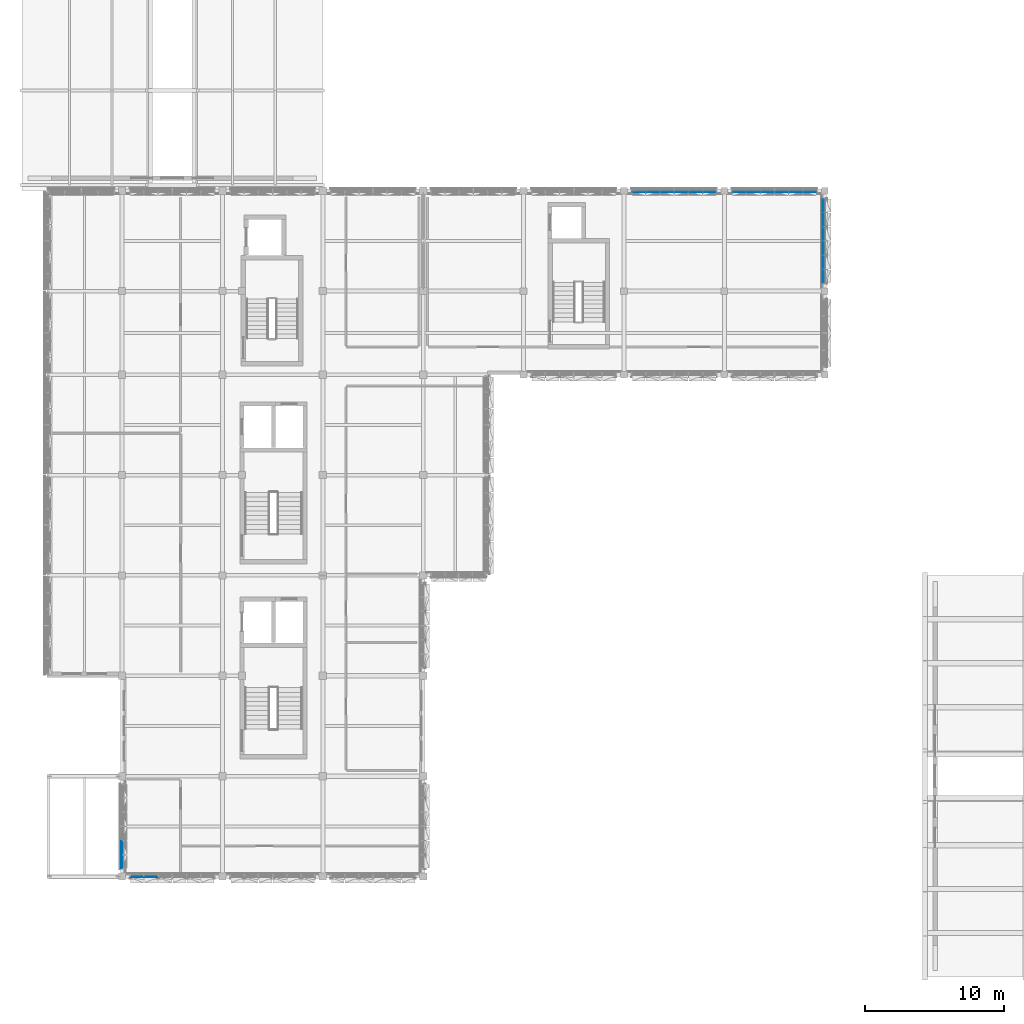
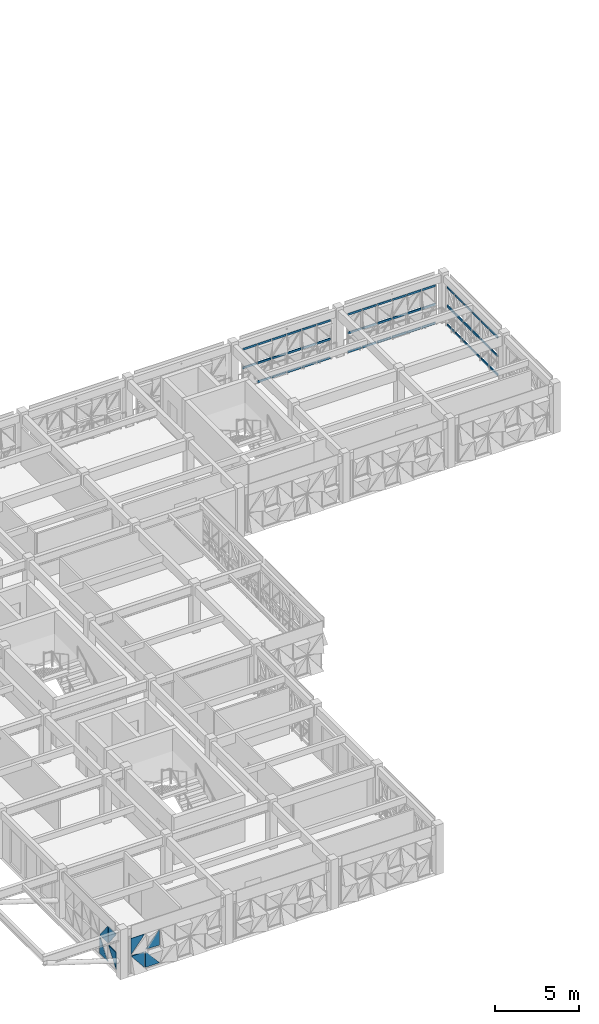
# One storey, part 18 of 48: 53 members, 8 plates, 5 elements without a shape of their own.
"""IFC4 building model written with IfcOpenShell, lengths in metres."""

from ifc_helpers import new_model, si_unit, direction, frame, origin, origin_2d, place, context, subcontext, project, spatial, polyline, rectangle, outline, extrude, material, layer, layer_set, material_profile, profile_set, type_object, element, aggregate, save


model = new_model("IFC4")

# Units and contexts
model_context = context("Model", 3, precision=1e-05, world=origin(), true_north=direction((0.0, 1.0)))
body_context = subcontext(model_context, "Body", "Model", "MODEL_VIEW")
ifc_project = project(units=[si_unit("LENGTHUNIT", "METRE"), si_unit("AREAUNIT", "SQUARE_METRE"), si_unit("VOLUMEUNIT", "CUBIC_METRE"), si_unit("PLANEANGLEUNIT", "RADIAN"), si_unit("MASSUNIT", "GRAM", prefix="KILO")], contexts=[model_context])

# Site, building, storey
site_placement = place(None, origin())
site = spatial("IfcSite", under=ifc_project, at=site_placement, CompositionType="ELEMENT")
building_placement = place(site_placement, origin())
building = spatial("IfcBuilding", under=site, at=building_placement, Name="Alvorim Cloister Faculty of Sciences", CompositionType="ELEMENT")
storey_placement = place(building_placement, frame((0.0, 0.0, 19.35009765625)))
storey = spatial("IfcBuildingStorey", under=building, at=storey_placement, Name="L05", CompositionType="ELEMENT", Elevation=19.35009765625)

# Curtain wall, members
ifc_material_1 = material(Name="Aluminium and Low-E Glass Curtain Wall", Category="aluminium")
curtain_wall_type_1 = type_object("IfcCurtainWallType", Name="CW-TRI-6120x2850", PredefinedType="USERDEFINED", material=ifc_material_1)
curtain_wall_1_placement = place(storey_placement, origin())
curtain_wall_1 = element("IfcCurtainWall", 1, at=curtain_wall_1_placement, inside=storey, type_object=curtain_wall_type_1, Name="L05 Diagonal Cassette Curtain Wall CW-0225", ObjectType="UNITISED CURTAIN WALL", PredefinedType="USERDEFINED")
ifc_material_2 = material(Name="Aluminium Alloy 6063-T6", Category="aluminium")
ifc_material_profile = material_profile(ifc_material_2, rectangle(XDim=0.06494140625, YDim=0.139892578125, at=origin_2d()), Name="ALU-TRN-65x140")
ifc_profile_set = profile_set([ifc_material_profile], Name="Aluminium Alloy 6063-T6")
member_type = type_object("IfcMemberType", Name="CW-TRN-65x140", PredefinedType="USERDEFINED", material=ifc_profile_set)
member_1_placement = place(storey_placement, frame((43.804931640625, 56.31005859375, 1.4248046875), z_axis=(1.0, 0.0, 0.0), x_axis=(0.0, 1.0, 0.0)))
member_1 = element("IfcMember", 2, at=member_1_placement, type_object=member_type, Name="CW-0225 Transom 1.2", ObjectType="TRANSOM", PredefinedType="USERDEFINED", context=body_context, shape_type="SweptSolid", body=[
    extrude(rectangle(XDim=0.06494140625, YDim=0.139892578125, at=origin_2d()), origin(), (0.0, 0.0, 1.0), 0.922607421875),
])
member_2_placement = place(storey_placement, frame((43.804931640625, 56.31005859375, 2.77978515625), z_axis=(1.0, 0.0, 0.0), x_axis=(0.0, 1.0, 0.0)))
member_2 = element("IfcMember", 3, at=member_2_placement, type_object=member_type, Name="CW-0225 Transom 1.3", ObjectType="TRANSOM", PredefinedType="USERDEFINED", context=body_context, shape_type="SweptSolid", body=[
    extrude(rectangle(XDim=0.06494140625, YDim=0.139892578125, at=origin_2d()), origin(), (0.0, 0.0, 1.0), 0.922607421875),
])
member_3_placement = place(storey_placement, frame((44.79248046875, 56.31005859375, 0.06982421875), z_axis=(1.0, 0.0, 0.0), x_axis=(0.0, 1.0, 0.0)))
member_3 = element("IfcMember", 4, at=member_3_placement, type_object=member_type, Name="CW-0225 Transom 2.1", ObjectType="TRANSOM", PredefinedType="USERDEFINED", context=body_context, shape_type="SweptSolid", body=[
    extrude(rectangle(XDim=0.06494140625, YDim=0.139892578125, at=origin_2d()), origin(), (0.0, 0.0, 1.0), 0.955078125),
])
member_4_placement = place(storey_placement, frame((44.79248046875, 56.31005859375, 1.4248046875), z_axis=(1.0, 0.0, 0.0), x_axis=(0.0, 1.0, 0.0)))
member_4 = element("IfcMember", 5, at=member_4_placement, type_object=member_type, Name="CW-0225 Transom 2.2", ObjectType="TRANSOM", PredefinedType="USERDEFINED", context=body_context, shape_type="SweptSolid", body=[
    extrude(rectangle(XDim=0.06494140625, YDim=0.139892578125, at=origin_2d()), origin(), (0.0, 0.0, 1.0), 0.955078125),
])
member_5_placement = place(storey_placement, frame((44.79248046875, 56.31005859375, 2.77978515625), z_axis=(1.0, 0.0, 0.0), x_axis=(0.0, 1.0, 0.0)))
member_5 = element("IfcMember", 6, at=member_5_placement, type_object=member_type, Name="CW-0225 Transom 2.3", ObjectType="TRANSOM", PredefinedType="USERDEFINED", context=body_context, shape_type="SweptSolid", body=[
    extrude(rectangle(XDim=0.06494140625, YDim=0.139892578125, at=origin_2d()), origin(), (0.0, 0.0, 1.0), 0.955078125),
])
member_6_placement = place(storey_placement, frame((45.8125, 56.31005859375, 0.06982421875), z_axis=(1.0, 0.0, 0.0), x_axis=(0.0, 1.0, 0.0)))
member_6 = element("IfcMember", 7, at=member_6_placement, type_object=member_type, Name="CW-0225 Transom 3.1", ObjectType="TRANSOM", PredefinedType="USERDEFINED", context=body_context, shape_type="SweptSolid", body=[
    extrude(rectangle(XDim=0.06494140625, YDim=0.139892578125, at=origin_2d()), origin(), (0.0, 0.0, 1.0), 0.955078125),
])
member_7_placement = place(storey_placement, frame((45.8125, 56.31005859375, 1.4248046875), z_axis=(1.0, 0.0, 0.0), x_axis=(0.0, 1.0, 0.0)))
member_7 = element("IfcMember", 8, at=member_7_placement, type_object=member_type, Name="CW-0225 Transom 3.2", ObjectType="TRANSOM", PredefinedType="USERDEFINED", context=body_context, shape_type="SweptSolid", body=[
    extrude(rectangle(XDim=0.06494140625, YDim=0.139892578125, at=origin_2d()), origin(), (0.0, 0.0, 1.0), 0.955078125),
])
member_8_placement = place(storey_placement, frame((45.8125, 56.31005859375, 2.77978515625), z_axis=(1.0, 0.0, 0.0), x_axis=(0.0, 1.0, 0.0)))
member_8 = element("IfcMember", 9, at=member_8_placement, type_object=member_type, Name="CW-0225 Transom 3.3", ObjectType="TRANSOM", PredefinedType="USERDEFINED", context=body_context, shape_type="SweptSolid", body=[
    extrude(rectangle(XDim=0.06494140625, YDim=0.139892578125, at=origin_2d()), origin(), (0.0, 0.0, 1.0), 0.955078125),
])
member_9_placement = place(storey_placement, frame((46.83251953125, 56.31005859375, 0.06982421875), z_axis=(1.0, 0.0, 0.0), x_axis=(0.0, 1.0, 0.0)))
member_9 = element("IfcMember", 10, at=member_9_placement, type_object=member_type, Name="CW-0225 Transom 4.1", ObjectType="TRANSOM", PredefinedType="USERDEFINED", context=body_context, shape_type="SweptSolid", body=[
    extrude(rectangle(XDim=0.06494140625, YDim=0.139892578125, at=origin_2d()), origin(), (0.0, 0.0, 1.0), 0.955078125),
])
member_10_placement = place(storey_placement, frame((46.83251953125, 56.31005859375, 1.4248046875), z_axis=(1.0, 0.0, 0.0), x_axis=(0.0, 1.0, 0.0)))
member_10 = element("IfcMember", 11, at=member_10_placement, type_object=member_type, Name="CW-0225 Transom 4.2", ObjectType="TRANSOM", PredefinedType="USERDEFINED", context=body_context, shape_type="SweptSolid", body=[
    extrude(rectangle(XDim=0.06494140625, YDim=0.139892578125, at=origin_2d()), origin(), (0.0, 0.0, 1.0), 0.955078125),
])
member_11_placement = place(storey_placement, frame((46.83251953125, 56.31005859375, 2.77978515625), z_axis=(1.0, 0.0, 0.0), x_axis=(0.0, 1.0, 0.0)))
member_11 = element("IfcMember", 12, at=member_11_placement, type_object=member_type, Name="CW-0225 Transom 4.3", ObjectType="TRANSOM", PredefinedType="USERDEFINED", context=body_context, shape_type="SweptSolid", body=[
    extrude(rectangle(XDim=0.06494140625, YDim=0.139892578125, at=origin_2d()), origin(), (0.0, 0.0, 1.0), 0.955078125),
])
member_12_placement = place(storey_placement, frame((47.8525390625, 56.31005859375, 0.06982421875), z_axis=(1.0, 0.0, 0.0), x_axis=(0.0, 1.0, 0.0)))
member_12 = element("IfcMember", 13, at=member_12_placement, type_object=member_type, Name="CW-0225 Transom 5.1", ObjectType="TRANSOM", PredefinedType="USERDEFINED", context=body_context, shape_type="SweptSolid", body=[
    extrude(rectangle(XDim=0.06494140625, YDim=0.139892578125, at=origin_2d()), origin(), (0.0, 0.0, 1.0), 0.955078125),
])
member_13_placement = place(storey_placement, frame((47.8525390625, 56.31005859375, 1.4248046875), z_axis=(1.0, 0.0, 0.0), x_axis=(0.0, 1.0, 0.0)))
member_13 = element("IfcMember", 14, at=member_13_placement, type_object=member_type, Name="CW-0225 Transom 5.2", ObjectType="TRANSOM", PredefinedType="USERDEFINED", context=body_context, shape_type="SweptSolid", body=[
    extrude(rectangle(XDim=0.06494140625, YDim=0.139892578125, at=origin_2d()), origin(), (0.0, 0.0, 1.0), 0.955078125),
])
member_14_placement = place(storey_placement, frame((47.8525390625, 56.31005859375, 2.77978515625), z_axis=(1.0, 0.0, 0.0), x_axis=(0.0, 1.0, 0.0)))
member_14 = element("IfcMember", 15, at=member_14_placement, type_object=member_type, Name="CW-0225 Transom 5.3", ObjectType="TRANSOM", PredefinedType="USERDEFINED", context=body_context, shape_type="SweptSolid", body=[
    extrude(rectangle(XDim=0.06494140625, YDim=0.139892578125, at=origin_2d()), origin(), (0.0, 0.0, 1.0), 0.955078125),
])
member_15_placement = place(storey_placement, frame((48.87255859375, 56.31005859375, 0.06982421875), z_axis=(1.0, 0.0, 0.0), x_axis=(0.0, 1.0, 0.0)))
member_15 = element("IfcMember", 16, at=member_15_placement, type_object=member_type, Name="CW-0225 Transom 6.1", ObjectType="TRANSOM", PredefinedType="USERDEFINED", context=body_context, shape_type="SweptSolid", body=[
    extrude(rectangle(XDim=0.06494140625, YDim=0.139892578125, at=origin_2d()), origin(), (0.0, 0.0, 1.0), 0.92236328125),
])
member_16_placement = place(storey_placement, frame((48.87255859375, 56.31005859375, 1.4248046875), z_axis=(1.0, 0.0, 0.0), x_axis=(0.0, 1.0, 0.0)))
member_16 = element("IfcMember", 17, at=member_16_placement, type_object=member_type, Name="CW-0225 Transom 6.2", ObjectType="TRANSOM", PredefinedType="USERDEFINED", context=body_context, shape_type="SweptSolid", body=[
    extrude(rectangle(XDim=0.06494140625, YDim=0.139892578125, at=origin_2d()), origin(), (0.0, 0.0, 1.0), 0.92236328125),
])
member_17_placement = place(storey_placement, frame((48.87255859375, 56.31005859375, 2.77978515625), z_axis=(1.0, 0.0, 0.0), x_axis=(0.0, 1.0, 0.0)))
member_17 = element("IfcMember", 18, at=member_17_placement, type_object=member_type, Name="CW-0225 Transom 6.3", ObjectType="TRANSOM", PredefinedType="USERDEFINED", context=body_context, shape_type="SweptSolid", body=[
    extrude(rectangle(XDim=0.06494140625, YDim=0.139892578125, at=origin_2d()), origin(), (0.0, 0.0, 1.0), 0.92236328125),
])
aggregate(curtain_wall_1, [member_1, member_2, member_3, member_4, member_5, member_6, member_7, member_8, member_9, member_10, member_11, member_12, member_13, member_14, member_15, member_16, member_17])

curtain_wall_2_placement = place(storey_placement, origin())
curtain_wall_2 = element("IfcCurtainWall", 19, at=curtain_wall_2_placement, inside=storey, type_object=curtain_wall_type_1, Name="L05 Diagonal Cassette Curtain Wall CW-0226", ObjectType="UNITISED CURTAIN WALL", PredefinedType="USERDEFINED")
member_18_placement = place(storey_placement, frame((51.0048828125, 56.31005859375, 0.06982421875), z_axis=(1.0, 0.0, 0.0), x_axis=(0.0, 1.0, 0.0)))
member_18 = element("IfcMember", 20, at=member_18_placement, type_object=member_type, Name="CW-0226 Transom 1.1", ObjectType="TRANSOM", PredefinedType="USERDEFINED", context=body_context, shape_type="SweptSolid", body=[
    extrude(rectangle(XDim=0.06494140625, YDim=0.139892578125, at=origin_2d()), origin(), (0.0, 0.0, 1.0), 0.922607421875),
])
member_19_placement = place(storey_placement, frame((51.0048828125, 56.31005859375, 1.4248046875), z_axis=(1.0, 0.0, 0.0), x_axis=(0.0, 1.0, 0.0)))
member_19 = element("IfcMember", 21, at=member_19_placement, type_object=member_type, Name="CW-0226 Transom 1.2", ObjectType="TRANSOM", PredefinedType="USERDEFINED", context=body_context, shape_type="SweptSolid", body=[
    extrude(rectangle(XDim=0.06494140625, YDim=0.139892578125, at=origin_2d()), origin(), (0.0, 0.0, 1.0), 0.922607421875),
])
member_20_placement = place(storey_placement, frame((51.0048828125, 56.31005859375, 2.77978515625), z_axis=(1.0, 0.0, 0.0), x_axis=(0.0, 1.0, 0.0)))
member_20 = element("IfcMember", 22, at=member_20_placement, type_object=member_type, Name="CW-0226 Transom 1.3", ObjectType="TRANSOM", PredefinedType="USERDEFINED", context=body_context, shape_type="SweptSolid", body=[
    extrude(rectangle(XDim=0.06494140625, YDim=0.139892578125, at=origin_2d()), origin(), (0.0, 0.0, 1.0), 0.922607421875),
])
member_21_placement = place(storey_placement, frame((51.992431640625, 56.31005859375, 0.06982421875), z_axis=(1.0, 0.0, 0.0), x_axis=(0.0, 1.0, 0.0)))
member_21 = element("IfcMember", 23, at=member_21_placement, type_object=member_type, Name="CW-0226 Transom 2.1", ObjectType="TRANSOM", PredefinedType="USERDEFINED", context=body_context, shape_type="SweptSolid", body=[
    extrude(rectangle(XDim=0.06494140625, YDim=0.139892578125, at=origin_2d()), origin(), (0.0, 0.0, 1.0), 0.955078125),
])
member_22_placement = place(storey_placement, frame((51.992431640625, 56.31005859375, 1.4248046875), z_axis=(1.0, 0.0, 0.0), x_axis=(0.0, 1.0, 0.0)))
member_22 = element("IfcMember", 24, at=member_22_placement, type_object=member_type, Name="CW-0226 Transom 2.2", ObjectType="TRANSOM", PredefinedType="USERDEFINED", context=body_context, shape_type="SweptSolid", body=[
    extrude(rectangle(XDim=0.06494140625, YDim=0.139892578125, at=origin_2d()), origin(), (0.0, 0.0, 1.0), 0.955078125),
])
member_23_placement = place(storey_placement, frame((51.992431640625, 56.31005859375, 2.77978515625), z_axis=(1.0, 0.0, 0.0), x_axis=(0.0, 1.0, 0.0)))
member_23 = element("IfcMember", 25, at=member_23_placement, type_object=member_type, Name="CW-0226 Transom 2.3", ObjectType="TRANSOM", PredefinedType="USERDEFINED", context=body_context, shape_type="SweptSolid", body=[
    extrude(rectangle(XDim=0.06494140625, YDim=0.139892578125, at=origin_2d()), origin(), (0.0, 0.0, 1.0), 0.955078125),
])
member_24_placement = place(storey_placement, frame((53.012451171875, 56.31005859375, 0.06982421875), z_axis=(1.0, 0.0, 0.0), x_axis=(0.0, 1.0, 0.0)))
member_24 = element("IfcMember", 26, at=member_24_placement, type_object=member_type, Name="CW-0226 Transom 3.1", ObjectType="TRANSOM", PredefinedType="USERDEFINED", context=body_context, shape_type="SweptSolid", body=[
    extrude(rectangle(XDim=0.06494140625, YDim=0.139892578125, at=origin_2d()), origin(), (0.0, 0.0, 1.0), 0.955078125),
])
member_25_placement = place(storey_placement, frame((53.012451171875, 56.31005859375, 1.4248046875), z_axis=(1.0, 0.0, 0.0), x_axis=(0.0, 1.0, 0.0)))
member_25 = element("IfcMember", 27, at=member_25_placement, type_object=member_type, Name="CW-0226 Transom 3.2", ObjectType="TRANSOM", PredefinedType="USERDEFINED", context=body_context, shape_type="SweptSolid", body=[
    extrude(rectangle(XDim=0.06494140625, YDim=0.139892578125, at=origin_2d()), origin(), (0.0, 0.0, 1.0), 0.955078125),
])
member_26_placement = place(storey_placement, frame((53.012451171875, 56.31005859375, 2.77978515625), z_axis=(1.0, 0.0, 0.0), x_axis=(0.0, 1.0, 0.0)))
member_26 = element("IfcMember", 28, at=member_26_placement, type_object=member_type, Name="CW-0226 Transom 3.3", ObjectType="TRANSOM", PredefinedType="USERDEFINED", context=body_context, shape_type="SweptSolid", body=[
    extrude(rectangle(XDim=0.06494140625, YDim=0.139892578125, at=origin_2d()), origin(), (0.0, 0.0, 1.0), 0.955078125),
])
member_27_placement = place(storey_placement, frame((54.032470703125, 56.31005859375, 0.06982421875), z_axis=(1.0, 0.0, 0.0), x_axis=(0.0, 1.0, 0.0)))
member_27 = element("IfcMember", 29, at=member_27_placement, type_object=member_type, Name="CW-0226 Transom 4.1", ObjectType="TRANSOM", PredefinedType="USERDEFINED", context=body_context, shape_type="SweptSolid", body=[
    extrude(rectangle(XDim=0.06494140625, YDim=0.139892578125, at=origin_2d()), origin(), (0.0, 0.0, 1.0), 0.955078125),
])
member_28_placement = place(storey_placement, frame((54.032470703125, 56.31005859375, 1.4248046875), z_axis=(1.0, 0.0, 0.0), x_axis=(0.0, 1.0, 0.0)))
member_28 = element("IfcMember", 30, at=member_28_placement, type_object=member_type, Name="CW-0226 Transom 4.2", ObjectType="TRANSOM", PredefinedType="USERDEFINED", context=body_context, shape_type="SweptSolid", body=[
    extrude(rectangle(XDim=0.06494140625, YDim=0.139892578125, at=origin_2d()), origin(), (0.0, 0.0, 1.0), 0.955078125),
])
member_29_placement = place(storey_placement, frame((54.032470703125, 56.31005859375, 2.77978515625), z_axis=(1.0, 0.0, 0.0), x_axis=(0.0, 1.0, 0.0)))
member_29 = element("IfcMember", 31, at=member_29_placement, type_object=member_type, Name="CW-0226 Transom 4.3", ObjectType="TRANSOM", PredefinedType="USERDEFINED", context=body_context, shape_type="SweptSolid", body=[
    extrude(rectangle(XDim=0.06494140625, YDim=0.139892578125, at=origin_2d()), origin(), (0.0, 0.0, 1.0), 0.955078125),
])
member_30_placement = place(storey_placement, frame((55.052490234375, 56.31005859375, 0.06982421875), z_axis=(1.0, 0.0, 0.0), x_axis=(0.0, 1.0, 0.0)))
member_30 = element("IfcMember", 32, at=member_30_placement, type_object=member_type, Name="CW-0226 Transom 5.1", ObjectType="TRANSOM", PredefinedType="USERDEFINED", context=body_context, shape_type="SweptSolid", body=[
    extrude(rectangle(XDim=0.06494140625, YDim=0.139892578125, at=origin_2d()), origin(), (0.0, 0.0, 1.0), 0.955078125),
])
member_31_placement = place(storey_placement, frame((55.052490234375, 56.31005859375, 1.4248046875), z_axis=(1.0, 0.0, 0.0), x_axis=(0.0, 1.0, 0.0)))
member_31 = element("IfcMember", 33, at=member_31_placement, type_object=member_type, Name="CW-0226 Transom 5.2", ObjectType="TRANSOM", PredefinedType="USERDEFINED", context=body_context, shape_type="SweptSolid", body=[
    extrude(rectangle(XDim=0.06494140625, YDim=0.139892578125, at=origin_2d()), origin(), (0.0, 0.0, 1.0), 0.955078125),
])
member_32_placement = place(storey_placement, frame((55.052490234375, 56.31005859375, 2.77978515625), z_axis=(1.0, 0.0, 0.0), x_axis=(0.0, 1.0, 0.0)))
member_32 = element("IfcMember", 34, at=member_32_placement, type_object=member_type, Name="CW-0226 Transom 5.3", ObjectType="TRANSOM", PredefinedType="USERDEFINED", context=body_context, shape_type="SweptSolid", body=[
    extrude(rectangle(XDim=0.06494140625, YDim=0.139892578125, at=origin_2d()), origin(), (0.0, 0.0, 1.0), 0.955078125),
])
member_33_placement = place(storey_placement, frame((56.072509765625, 56.31005859375, 0.06982421875), z_axis=(1.0, 0.0, 0.0), x_axis=(0.0, 1.0, 0.0)))
member_33 = element("IfcMember", 35, at=member_33_placement, type_object=member_type, Name="CW-0226 Transom 6.1", ObjectType="TRANSOM", PredefinedType="USERDEFINED", context=body_context, shape_type="SweptSolid", body=[
    extrude(rectangle(XDim=0.06494140625, YDim=0.139892578125, at=origin_2d()), origin(), (0.0, 0.0, 1.0), 0.922607421875),
])
member_34_placement = place(storey_placement, frame((56.072509765625, 56.31005859375, 1.4248046875), z_axis=(1.0, 0.0, 0.0), x_axis=(0.0, 1.0, 0.0)))
member_34 = element("IfcMember", 36, at=member_34_placement, type_object=member_type, Name="CW-0226 Transom 6.2", ObjectType="TRANSOM", PredefinedType="USERDEFINED", context=body_context, shape_type="SweptSolid", body=[
    extrude(rectangle(XDim=0.06494140625, YDim=0.139892578125, at=origin_2d()), origin(), (0.0, 0.0, 1.0), 0.922607421875),
])
member_35_placement = place(storey_placement, frame((56.072509765625, 56.31005859375, 2.77978515625), z_axis=(1.0, 0.0, 0.0), x_axis=(0.0, 1.0, 0.0)))
member_35 = element("IfcMember", 37, at=member_35_placement, type_object=member_type, Name="CW-0226 Transom 6.3", ObjectType="TRANSOM", PredefinedType="USERDEFINED", context=body_context, shape_type="SweptSolid", body=[
    extrude(rectangle(XDim=0.06494140625, YDim=0.139892578125, at=origin_2d()), origin(), (0.0, 0.0, 1.0), 0.922607421875),
])
aggregate(curtain_wall_2, [member_18, member_19, member_20, member_21, member_22, member_23, member_24, member_25, member_26, member_27, member_28, member_29, member_30, member_31, member_32, member_33, member_34, member_35])

curtain_wall_3_placement = place(storey_placement, origin())
curtain_wall_3 = element("IfcCurtainWall", 38, at=curtain_wall_3_placement, inside=storey, type_object=curtain_wall_type_1, Name="L05 Diagonal Cassette Curtain Wall CW-0227", ObjectType="UNITISED CURTAIN WALL", PredefinedType="USERDEFINED")
member_36_placement = place(storey_placement, frame((57.510009765625, 49.804931640625, 0.06982421875), z_axis=(0.0, 1.0, 0.0), x_axis=(-1.0, 0.0, 0.0)))
member_36 = element("IfcMember", 39, at=member_36_placement, type_object=member_type, Name="CW-0227 Transom 1.1", ObjectType="TRANSOM", PredefinedType="USERDEFINED", context=body_context, shape_type="SweptSolid", body=[
    extrude(rectangle(XDim=0.06494140625, YDim=0.139892578125, at=origin_2d()), origin(), (0.0, 0.0, 1.0), 0.922607421875),
])
member_37_placement = place(storey_placement, frame((57.510009765625, 49.804931640625, 1.4248046875), z_axis=(0.0, 1.0, 0.0), x_axis=(-1.0, 0.0, 0.0)))
member_37 = element("IfcMember", 40, at=member_37_placement, type_object=member_type, Name="CW-0227 Transom 1.2", ObjectType="TRANSOM", PredefinedType="USERDEFINED", context=body_context, shape_type="SweptSolid", body=[
    extrude(rectangle(XDim=0.06494140625, YDim=0.139892578125, at=origin_2d()), origin(), (0.0, 0.0, 1.0), 0.922607421875),
])
member_38_placement = place(storey_placement, frame((57.510009765625, 49.804931640625, 2.77978515625), z_axis=(0.0, 1.0, 0.0), x_axis=(-1.0, 0.0, 0.0)))
member_38 = element("IfcMember", 41, at=member_38_placement, type_object=member_type, Name="CW-0227 Transom 1.3", ObjectType="TRANSOM", PredefinedType="USERDEFINED", context=body_context, shape_type="SweptSolid", body=[
    extrude(rectangle(XDim=0.06494140625, YDim=0.139892578125, at=origin_2d()), origin(), (0.0, 0.0, 1.0), 0.922607421875),
])
member_39_placement = place(storey_placement, frame((57.510009765625, 50.79248046875, 0.06982421875), z_axis=(0.0, 1.0, 0.0), x_axis=(-1.0, 0.0, 0.0)))
member_39 = element("IfcMember", 42, at=member_39_placement, type_object=member_type, Name="CW-0227 Transom 2.1", ObjectType="TRANSOM", PredefinedType="USERDEFINED", context=body_context, shape_type="SweptSolid", body=[
    extrude(rectangle(XDim=0.06494140625, YDim=0.139892578125, at=origin_2d()), origin(), (0.0, 0.0, 1.0), 0.955078125),
])
member_40_placement = place(storey_placement, frame((57.510009765625, 50.79248046875, 1.4248046875), z_axis=(0.0, 1.0, 0.0), x_axis=(-1.0, 0.0, 0.0)))
member_40 = element("IfcMember", 43, at=member_40_placement, type_object=member_type, Name="CW-0227 Transom 2.2", ObjectType="TRANSOM", PredefinedType="USERDEFINED", context=body_context, shape_type="SweptSolid", body=[
    extrude(rectangle(XDim=0.06494140625, YDim=0.139892578125, at=origin_2d()), origin(), (0.0, 0.0, 1.0), 0.955078125),
])
member_41_placement = place(storey_placement, frame((57.510009765625, 50.79248046875, 2.77978515625), z_axis=(0.0, 1.0, 0.0), x_axis=(-1.0, 0.0, 0.0)))
member_41 = element("IfcMember", 44, at=member_41_placement, type_object=member_type, Name="CW-0227 Transom 2.3", ObjectType="TRANSOM", PredefinedType="USERDEFINED", context=body_context, shape_type="SweptSolid", body=[
    extrude(rectangle(XDim=0.06494140625, YDim=0.139892578125, at=origin_2d()), origin(), (0.0, 0.0, 1.0), 0.955078125),
])
member_42_placement = place(storey_placement, frame((57.510009765625, 51.8125, 0.06982421875), z_axis=(0.0, 1.0, 0.0), x_axis=(-1.0, 0.0, 0.0)))
member_42 = element("IfcMember", 45, at=member_42_placement, type_object=member_type, Name="CW-0227 Transom 3.1", ObjectType="TRANSOM", PredefinedType="USERDEFINED", context=body_context, shape_type="SweptSolid", body=[
    extrude(rectangle(XDim=0.06494140625, YDim=0.139892578125, at=origin_2d()), origin(), (0.0, 0.0, 1.0), 0.955078125),
])
member_43_placement = place(storey_placement, frame((57.510009765625, 51.8125, 1.4248046875), z_axis=(0.0, 1.0, 0.0), x_axis=(-1.0, 0.0, 0.0)))
member_43 = element("IfcMember", 46, at=member_43_placement, type_object=member_type, Name="CW-0227 Transom 3.2", ObjectType="TRANSOM", PredefinedType="USERDEFINED", context=body_context, shape_type="SweptSolid", body=[
    extrude(rectangle(XDim=0.06494140625, YDim=0.139892578125, at=origin_2d()), origin(), (0.0, 0.0, 1.0), 0.955078125),
])
member_44_placement = place(storey_placement, frame((57.510009765625, 51.8125, 2.77978515625), z_axis=(0.0, 1.0, 0.0), x_axis=(-1.0, 0.0, 0.0)))
member_44 = element("IfcMember", 47, at=member_44_placement, type_object=member_type, Name="CW-0227 Transom 3.3", ObjectType="TRANSOM", PredefinedType="USERDEFINED", context=body_context, shape_type="SweptSolid", body=[
    extrude(rectangle(XDim=0.06494140625, YDim=0.139892578125, at=origin_2d()), origin(), (0.0, 0.0, 1.0), 0.955078125),
])
member_45_placement = place(storey_placement, frame((57.510009765625, 52.83251953125, 0.06982421875), z_axis=(0.0, 1.0, 0.0), x_axis=(-1.0, 0.0, 0.0)))
member_45 = element("IfcMember", 48, at=member_45_placement, type_object=member_type, Name="CW-0227 Transom 4.1", ObjectType="TRANSOM", PredefinedType="USERDEFINED", context=body_context, shape_type="SweptSolid", body=[
    extrude(rectangle(XDim=0.06494140625, YDim=0.139892578125, at=origin_2d()), origin(), (0.0, 0.0, 1.0), 0.955078125),
])
member_46_placement = place(storey_placement, frame((57.510009765625, 52.83251953125, 1.4248046875), z_axis=(0.0, 1.0, 0.0), x_axis=(-1.0, 0.0, 0.0)))
member_46 = element("IfcMember", 49, at=member_46_placement, type_object=member_type, Name="CW-0227 Transom 4.2", ObjectType="TRANSOM", PredefinedType="USERDEFINED", context=body_context, shape_type="SweptSolid", body=[
    extrude(rectangle(XDim=0.06494140625, YDim=0.139892578125, at=origin_2d()), origin(), (0.0, 0.0, 1.0), 0.955078125),
])
member_47_placement = place(storey_placement, frame((57.510009765625, 52.83251953125, 2.77978515625), z_axis=(0.0, 1.0, 0.0), x_axis=(-1.0, 0.0, 0.0)))
member_47 = element("IfcMember", 50, at=member_47_placement, type_object=member_type, Name="CW-0227 Transom 4.3", ObjectType="TRANSOM", PredefinedType="USERDEFINED", context=body_context, shape_type="SweptSolid", body=[
    extrude(rectangle(XDim=0.06494140625, YDim=0.139892578125, at=origin_2d()), origin(), (0.0, 0.0, 1.0), 0.955078125),
])
member_48_placement = place(storey_placement, frame((57.510009765625, 53.8525390625, 0.06982421875), z_axis=(0.0, 1.0, 0.0), x_axis=(-1.0, 0.0, 0.0)))
member_48 = element("IfcMember", 51, at=member_48_placement, type_object=member_type, Name="CW-0227 Transom 5.1", ObjectType="TRANSOM", PredefinedType="USERDEFINED", context=body_context, shape_type="SweptSolid", body=[
    extrude(rectangle(XDim=0.06494140625, YDim=0.139892578125, at=origin_2d()), origin(), (0.0, 0.0, 1.0), 0.955078125),
])
member_49_placement = place(storey_placement, frame((57.510009765625, 53.8525390625, 1.4248046875), z_axis=(0.0, 1.0, 0.0), x_axis=(-1.0, 0.0, 0.0)))
member_49 = element("IfcMember", 52, at=member_49_placement, type_object=member_type, Name="CW-0227 Transom 5.2", ObjectType="TRANSOM", PredefinedType="USERDEFINED", context=body_context, shape_type="SweptSolid", body=[
    extrude(rectangle(XDim=0.06494140625, YDim=0.139892578125, at=origin_2d()), origin(), (0.0, 0.0, 1.0), 0.955078125),
])
member_50_placement = place(storey_placement, frame((57.510009765625, 53.8525390625, 2.77978515625), z_axis=(0.0, 1.0, 0.0), x_axis=(-1.0, 0.0, 0.0)))
member_50 = element("IfcMember", 53, at=member_50_placement, type_object=member_type, Name="CW-0227 Transom 5.3", ObjectType="TRANSOM", PredefinedType="USERDEFINED", context=body_context, shape_type="SweptSolid", body=[
    extrude(rectangle(XDim=0.06494140625, YDim=0.139892578125, at=origin_2d()), origin(), (0.0, 0.0, 1.0), 0.955078125),
])
member_51_placement = place(storey_placement, frame((57.510009765625, 54.87255859375, 0.06982421875), z_axis=(0.0, 1.0, 0.0), x_axis=(-1.0, 0.0, 0.0)))
member_51 = element("IfcMember", 54, at=member_51_placement, type_object=member_type, Name="CW-0227 Transom 6.1", ObjectType="TRANSOM", PredefinedType="USERDEFINED", context=body_context, shape_type="SweptSolid", body=[
    extrude(rectangle(XDim=0.06494140625, YDim=0.139892578125, at=origin_2d()), origin(), (0.0, 0.0, 1.0), 0.92236328125),
])
member_52_placement = place(storey_placement, frame((57.510009765625, 54.87255859375, 1.4248046875), z_axis=(0.0, 1.0, 0.0), x_axis=(-1.0, 0.0, 0.0)))
member_52 = element("IfcMember", 55, at=member_52_placement, type_object=member_type, Name="CW-0227 Transom 6.2", ObjectType="TRANSOM", PredefinedType="USERDEFINED", context=body_context, shape_type="SweptSolid", body=[
    extrude(rectangle(XDim=0.06494140625, YDim=0.139892578125, at=origin_2d()), origin(), (0.0, 0.0, 1.0), 0.92236328125),
])
member_53_placement = place(storey_placement, frame((57.510009765625, 54.87255859375, 2.77978515625), z_axis=(0.0, 1.0, 0.0), x_axis=(-1.0, 0.0, 0.0)))
member_53 = element("IfcMember", 56, at=member_53_placement, type_object=member_type, Name="CW-0227 Transom 6.3", ObjectType="TRANSOM", PredefinedType="USERDEFINED", context=body_context, shape_type="SweptSolid", body=[
    extrude(rectangle(XDim=0.06494140625, YDim=0.139892578125, at=origin_2d()), origin(), (0.0, 0.0, 1.0), 0.92236328125),
])
aggregate(curtain_wall_3, [member_36, member_37, member_38, member_39, member_40, member_41, member_42, member_43, member_44, member_45, member_46, member_47, member_48, member_49, member_50, member_51, member_52, member_53])

# Curtain wall, plates
curtain_wall_4_placement = place(storey_placement, origin())
curtain_wall_4 = element("IfcCurtainWall", 57, at=curtain_wall_4_placement, inside=storey, type_object=curtain_wall_type_1, Name="L05 Diagonal Cassette Curtain Wall CW-0213", ObjectType="UNITISED CURTAIN WALL", PredefinedType="USERDEFINED")
ifc_material_3 = material(Name="Double Low-E Laminated Glass", Category="glass")
ifc_layer = layer(ifc_material_3, 0.0400390625)
ifc_layer_set = layer_set([ifc_layer], Name="Double Low-E Laminated Glass")
plate_type = type_object("IfcPlateType", Name="PN-GLZ-40", PredefinedType="CURTAIN_PANEL", material=ifc_layer_set)
plate_1_placement = place(storey_placement, frame((7.175048828125, 7.804931640625, 0.139892578125), z_axis=(0.0, 0.0, 1.0), x_axis=(0.0, 1.0, 0.0)))
plate_1 = element("IfcPlate", 58, at=plate_1_placement, type_object=plate_type, Name="Diagonal Glazed Triangle TRI-TL", PredefinedType="CURTAIN_PANEL", context=body_context, shape_type="SweptSolid", body=[
    extrude(outline(polyline([(0.920654296875, 1.215087890625), (0.0, 1.215087890625), (0.0, 0.001953125), (0.920654296875, 1.215087890625)])), frame((0.0, 0.02490234375, 0.0), z_axis=(0.0, -1.0, 0.0), x_axis=(1.0, 0.0, 0.0)), (0.0, 0.0, 1.0), 0.050048828125),
])
plate_2_placement = place(storey_placement, frame((7.175048828125, 7.804931640625, 1.494873046875), z_axis=(0.0, 0.0, 1.0), x_axis=(0.0, 1.0, 0.0)))
plate_2 = element("IfcPlate", 59, at=plate_2_placement, type_object=plate_type, Name="Diagonal Glazed Triangle TRI-TR", PredefinedType="CURTAIN_PANEL", context=body_context, shape_type="SweptSolid", body=[
    extrude(outline(polyline([(0.922607421875, 0.001953125), (0.922607421875, 1.215087890625), (0.001953125, 1.215087890625), (0.922607421875, 0.001953125)])), frame((0.0, 0.02490234375, 0.0), z_axis=(0.0, -1.0, 0.0), x_axis=(1.0, 0.0, 0.0)), (0.0, 0.0, 1.0), 0.050048828125),
])
plate_3_placement = place(storey_placement, frame((7.175048828125, 8.79248046875, 0.139892578125), z_axis=(0.0, 0.0, 1.0), x_axis=(0.0, 1.0, 0.0)))
plate_3 = element("IfcPlate", 60, at=plate_3_placement, type_object=plate_type, Name="Diagonal Glazed Triangle TRI-BR", PredefinedType="CURTAIN_PANEL", context=body_context, shape_type="SweptSolid", body=[
    extrude(outline(polyline([(0.001953125, 0.0), (0.955078125, 0.0), (0.955078125, 1.213134765625), (0.001953125, 0.0)])), frame((0.0, 0.02490234375, 0.0), z_axis=(0.0, -1.0, 0.0), x_axis=(1.0, 0.0, 0.0)), (0.0, 0.0, 1.0), 0.050048828125),
])
plate_4_placement = place(storey_placement, frame((7.175048828125, 8.79248046875, 1.494873046875), z_axis=(0.0, 0.0, 1.0), x_axis=(0.0, 1.0, 0.0)))
plate_4 = element("IfcPlate", 61, at=plate_4_placement, type_object=plate_type, Name="Diagonal Glazed Triangle TRI-BL", PredefinedType="CURTAIN_PANEL", context=body_context, shape_type="SweptSolid", body=[
    extrude(outline(polyline([(0.0, 0.0), (0.953125, 0.0), (0.0, 1.213134765625), (0.0, 0.0)])), frame((0.0, 0.02490234375, 0.0), z_axis=(0.0, -1.0, 0.0), x_axis=(1.0, 0.0, 0.0)), (0.0, 0.0, 1.0), 0.050048828125),
])
aggregate(curtain_wall_4, [plate_1, plate_2, plate_3, plate_4])

curtain_wall_type_2 = type_object("IfcCurtainWallType", Name="CW-TRI-6120x2706", PredefinedType="USERDEFINED", material=ifc_material_1)
curtain_wall_5_placement = place(storey_placement, origin())
curtain_wall_5 = element("IfcCurtainWall", 62, at=curtain_wall_5_placement, inside=storey, type_object=curtain_wall_type_2, Name="L05 Diagonal Cassette Curtain Wall CW-0239", ObjectType="UNITISED CURTAIN WALL", PredefinedType="USERDEFINED")
plate_5_placement = place(storey_placement, frame((7.804931640625, 7.175048828125, 0.139892578125), z_axis=(0.0, 0.0, 1.0), x_axis=(1.0, 0.0, 0.0)))
plate_5 = element("IfcPlate", 63, at=plate_5_placement, type_object=plate_type, Name="Diagonal Glazed Triangle TRI-TR", PredefinedType="CURTAIN_PANEL", context=body_context, shape_type="SweptSolid", body=[
    extrude(outline(polyline([(0.922607421875, 0.001953125), (0.922607421875, 1.14306640625), (0.001953125, 1.14306640625), (0.922607421875, 0.001953125)])), frame((0.0, 0.02490234375, 0.0), z_axis=(0.0, -1.0, 0.0), x_axis=(1.0, 0.0, 0.0)), (0.0, 0.0, 1.0), 0.050048828125),
])
plate_6_placement = place(storey_placement, frame((7.804931640625, 7.175048828125, 1.4228515625), z_axis=(0.0, 0.0, 1.0), x_axis=(1.0, 0.0, 0.0)))
plate_6 = element("IfcPlate", 64, at=plate_6_placement, type_object=plate_type, Name="Diagonal Glazed Triangle TRI-TL", PredefinedType="CURTAIN_PANEL", context=body_context, shape_type="SweptSolid", body=[
    extrude(outline(polyline([(0.920654296875, 1.14306640625), (0.0, 1.14306640625), (0.0, 0.001953125), (0.920654296875, 1.14306640625)])), frame((0.0, 0.02490234375, 0.0), z_axis=(0.0, -1.0, 0.0), x_axis=(1.0, 0.0, 0.0)), (0.0, 0.0, 1.0), 0.050048828125),
])
plate_7_placement = place(storey_placement, frame((8.79248046875, 7.175048828125, 0.139892578125), z_axis=(0.0, 0.0, 1.0), x_axis=(1.0, 0.0, 0.0)))
plate_7 = element("IfcPlate", 65, at=plate_7_placement, type_object=plate_type, Name="Diagonal Glazed Triangle TRI-BL", PredefinedType="CURTAIN_PANEL", context=body_context, shape_type="SweptSolid", body=[
    extrude(outline(polyline([(0.0, 0.0), (0.953125, 0.0), (0.0, 1.14111328125), (0.0, 0.0)])), frame((0.0, 0.02490234375, 0.0), z_axis=(0.0, -1.0, 0.0), x_axis=(1.0, 0.0, 0.0)), (0.0, 0.0, 1.0), 0.050048828125),
])
plate_8_placement = place(storey_placement, frame((8.79248046875, 7.175048828125, 1.4228515625), z_axis=(0.0, 0.0, 1.0), x_axis=(1.0, 0.0, 0.0)))
plate_8 = element("IfcPlate", 66, at=plate_8_placement, type_object=plate_type, Name="Diagonal Glazed Triangle TRI-BR", PredefinedType="CURTAIN_PANEL", context=body_context, shape_type="SweptSolid", body=[
    extrude(outline(polyline([(0.001953125, 0.0), (0.955078125, 0.0), (0.955078125, 1.14111328125), (0.001953125, 0.0)])), frame((0.0, 0.02490234375, 0.0), z_axis=(0.0, -1.0, 0.0), x_axis=(1.0, 0.0, 0.0)), (0.0, 0.0, 1.0), 0.050048828125),
])
aggregate(curtain_wall_5, [plate_5, plate_6, plate_7, plate_8])

save(model, "model.ifc")
